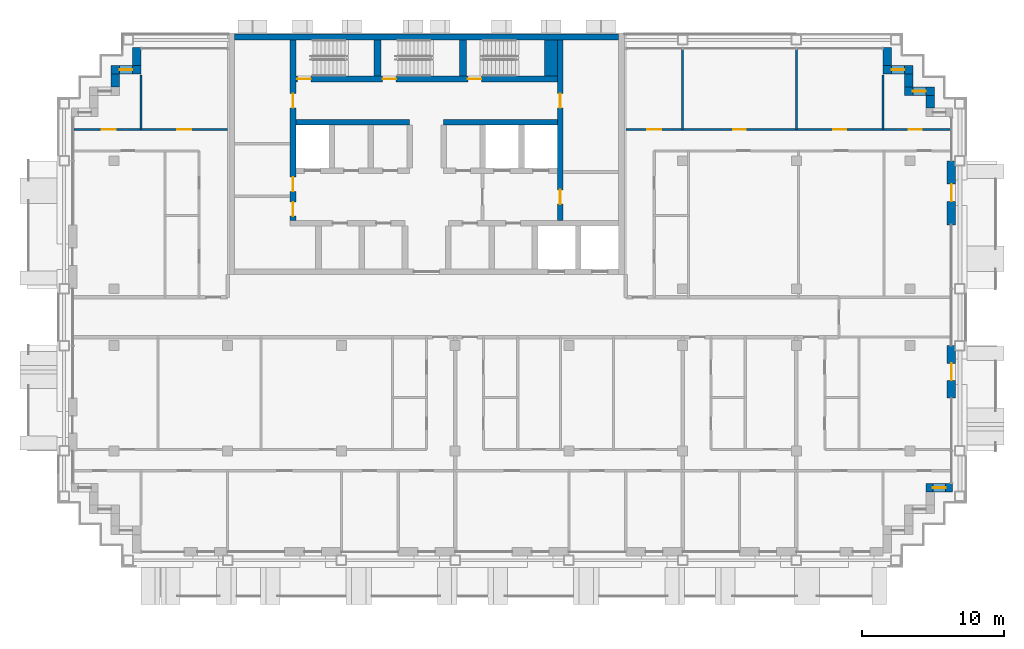
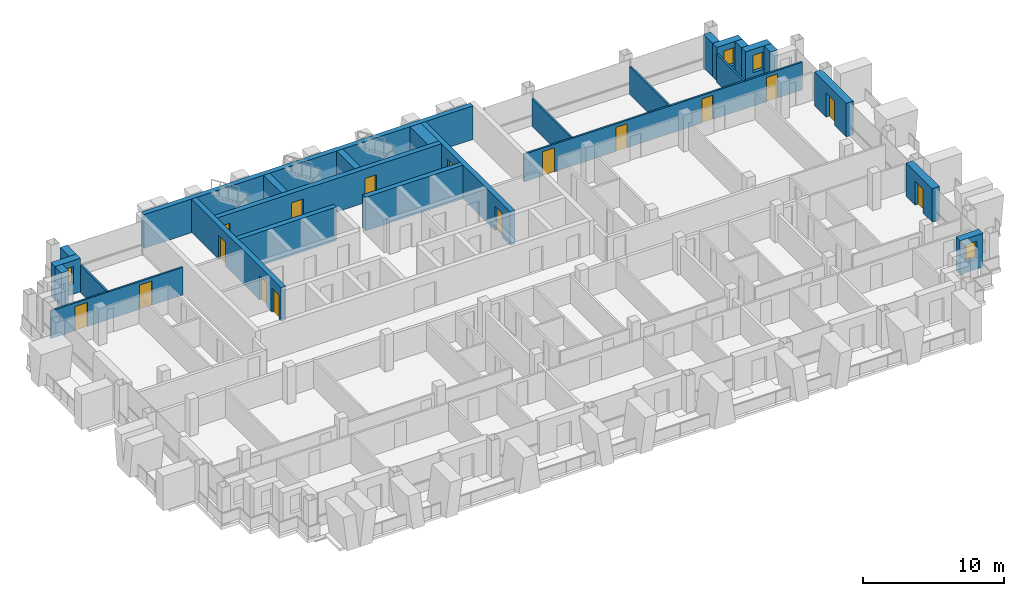
# One storey, part 11 of 16: 26 walls, 16 doors, 4 windows, 20 openings.
"""IFC4 building model written with IfcOpenShell, lengths in metres."""

from ifc_helpers import new_model, si_unit, direction, frame, frame_2d, origin, place, context, subcontext, project, spatial, rectangle, extrude, material, layer, layer_set, type_object, element, fill, save


model = new_model("IFC4")

# Units and contexts
model_context = context("Model", 3, precision=1e-05, world=origin(), true_north=direction((0.0, 1.0)))
body_context = subcontext(model_context, "Body", "Model", "MODEL_VIEW")
ifc_project = project(units=[si_unit("LENGTHUNIT", "METRE"), si_unit("AREAUNIT", "SQUARE_METRE"), si_unit("VOLUMEUNIT", "CUBIC_METRE"), si_unit("PLANEANGLEUNIT", "RADIAN"), si_unit("MASSUNIT", "GRAM", prefix="KILO")], contexts=[model_context])

# Site, building, storey
site_placement = place(None, origin())
site = spatial("IfcSite", under=ifc_project, at=site_placement, CompositionType="ELEMENT")
building_placement = place(site_placement, origin())
building = spatial("IfcBuilding", under=site, at=building_placement, Name="Vidyagriha Tower", CompositionType="ELEMENT")
storey_placement = place(building_placement, frame((0.0, 0.0, 178.10009765625)))
storey = spatial("IfcBuildingStorey", under=building, at=storey_placement, Name="L46", CompositionType="ELEMENT", Elevation=178.10009765625)

# Wall
ifc_material_1 = material(Name="Precast concrete C40/50 with brick facing", Category="concrete")
ifc_layer_1 = layer(ifc_material_1, 0.60009765625)
ifc_layer_set_1 = layer_set([ifc_layer_1], Name="Precast concrete C40/50 with brick facing")
wall_type_1 = type_object("IfcWallType", Name="Brick-faced precast wall 600", PredefinedType="STANDARD", material=ifc_layer_set_1)
wall_1_placement = place(storey_placement, frame((35.39990234375, 14.699951171875, 0.0), z_axis=(0.0, 0.0, 1.0), x_axis=(0.0, 1.0, 0.0)))
element("IfcWall", 1, at=wall_1_placement, inside=storey, type_object=wall_type_1, Name="Stepped corner wall L46 R02", PredefinedType="STANDARD", context=body_context, shape_type="SweptSolid", body=[
    extrude(rectangle(XDim=0.900146484375, YDim=0.60009765625, at=frame_2d((0.4501953125, 0.0))), origin(), (0.0, 0.0, 1.0), 2.919921875),
])

# Wall, opening, window
wall_2_placement = place(storey_placement, frame((35.699951171875, 15.89990234375, 0.0), z_axis=(0.0, 0.0, 1.0), x_axis=(-1.0, 0.0, 0.0)))
wall_2 = element("IfcWall", 2, at=wall_2_placement, inside=storey, type_object=wall_type_1, Name="Stepped corner wall L46 R03", PredefinedType="STANDARD", context=body_context, shape_type="SweptSolid", body=[
    extrude(rectangle(XDim=2.099853515625, YDim=0.60009765625, at=frame_2d((1.0498046875, 0.0))), origin(), (0.0, 0.0, 1.0), 2.919921875),
])
opening_1_placement = place(wall_2_placement, frame((0.60009765625, 0.0, 0.89990234375)))
opening_1 = element("IfcOpeningElement", 3, at=opening_1_placement, cuts=wall_2, Name="Opening WN1", PredefinedType="OPENING", context=body_context, shape_type="SweptSolid", body=[
    extrude(rectangle(XDim=0.89990234375, YDim=1.5, at=frame_2d((0.449951171875, 0.75))), frame((0.0, 0.31005859375, 0.0), z_axis=(0.0, -1.0, 0.0), x_axis=(1.0, 0.0, 0.0)), (0.0, 0.0, 1.0), 0.6201171875),
])
ifc_material_2 = material(Name="Aluminium and glass window", Category="aluminium")
window_type = type_object("IfcWindowType", Name="Reveal window 900x1500", PartitioningType="NOTDEFINED", PredefinedType="WINDOW", material=ifc_material_2)
window_1_placement = place(opening_1_placement, origin())
window_1 = element("IfcWindow", 4, at=window_1_placement, inside=storey, type_object=window_type, Name="Reveal window L46 R03", OverallHeight=1.5, OverallWidth=0.89990234375, PartitioningType="SINGLE_PANEL", PredefinedType="WINDOW", context=body_context, shape_type="SweptSolid", body=[
    extrude(rectangle(XDim=0.89990234375, YDim=1.5, at=frame_2d((0.449951171875, 0.75))), frame((0.0, 0.030029296875, 0.0), z_axis=(0.0, -1.0, 0.0), x_axis=(1.0, 0.0, 0.0)), (0.0, 0.0, 1.0), 0.06005859375),
])
fill(opening_1, window_1)

# Wall
wall_3_placement = place(storey_placement, frame((33.89990234375, 16.199951171875, 0.0), z_axis=(0.0, 0.0, 1.0), x_axis=(0.0, 1.0, 0.0)))
element("IfcWall", 5, at=wall_3_placement, inside=storey, type_object=wall_type_1, Name="Stepped corner wall L46 R04", PredefinedType="STANDARD", context=body_context, shape_type="SweptSolid", body=[
    extrude(rectangle(XDim=0.900146484375, YDim=0.60009765625, at=frame_2d((0.4501953125, 0.0))), origin(), (0.0, 0.0, 1.0), 2.919921875),
])

# Wall, opening, window
wall_4_placement = place(storey_placement, frame((34.199951171875, 17.39990234375, 0.0), z_axis=(0.0, 0.0, 1.0), x_axis=(-1.0, 0.0, 0.0)))
wall_4 = element("IfcWall", 6, at=wall_4_placement, inside=storey, type_object=wall_type_1, Name="Stepped corner wall L46 R05", PredefinedType="STANDARD", context=body_context, shape_type="SweptSolid", body=[
    extrude(rectangle(XDim=2.099853515625, YDim=0.60009765625, at=frame_2d((1.0498046875, 0.0))), origin(), (0.0, 0.0, 1.0), 2.919921875),
])
opening_2_placement = place(wall_4_placement, frame((0.60009765625, 0.0, 0.89990234375)))
opening_2 = element("IfcOpeningElement", 7, at=opening_2_placement, cuts=wall_4, Name="Opening WN1", PredefinedType="OPENING", context=body_context, shape_type="SweptSolid", body=[
    extrude(rectangle(XDim=0.89990234375, YDim=1.5, at=frame_2d((0.449951171875, 0.75))), frame((0.0, 0.31005859375, 0.0), z_axis=(0.0, -1.0, 0.0), x_axis=(1.0, 0.0, 0.0)), (0.0, 0.0, 1.0), 0.6201171875),
])
window_2_placement = place(opening_2_placement, origin())
window_2 = element("IfcWindow", 8, at=window_2_placement, inside=storey, type_object=window_type, Name="Reveal window L46 R05", OverallHeight=1.5, OverallWidth=0.89990234375, PartitioningType="SINGLE_PANEL", PredefinedType="WINDOW", context=body_context, shape_type="SweptSolid", body=[
    extrude(rectangle(XDim=0.89990234375, YDim=1.5, at=frame_2d((0.449951171875, 0.75))), frame((0.0, 0.030029296875, 0.0), z_axis=(0.0, -1.0, 0.0), x_axis=(1.0, 0.0, 0.0)), (0.0, 0.0, 1.0), 0.06005859375),
])
fill(opening_2, window_2)

# Walls
for number, where, z_axis, x_axis, name in (
    (9, (32.39990234375, 17.699951171875, 0.0), (0.0, 0.0, 1.0), (0.0, 1.0, 0.0), "Stepped corner wall L46 R06"),
    (10, (-20.39990234375, 18.97998046875, 0.0), (0.0, 0.0, 1.0), (0.0, -1.0, 0.0), "Stepped corner wall L46 R10"),
):
    element("IfcWall", number, at=place(storey_placement, frame(where, z_axis=z_axis, x_axis=x_axis)), inside=storey, type_object=wall_type_1, Name=name, PredefinedType="STANDARD", context=body_context, shape_type="SweptSolid", body=[
        extrude(rectangle(XDim=1.280029296875, YDim=0.60009765625, at=frame_2d((0.64013671875, 0.0))), origin(), (0.0, 0.0, 1.0), 2.919921875),
    ])

# Wall, opening, window
wall_5_placement = place(storey_placement, frame((-20.10009765625, 17.39990234375, 0.0), z_axis=(0.0, 0.0, 1.0), x_axis=(-1.0, 0.0, 0.0)))
wall_5 = element("IfcWall", 11, at=wall_5_placement, inside=storey, type_object=wall_type_1, Name="Stepped corner wall L46 R11", PredefinedType="STANDARD", context=body_context, shape_type="SweptSolid", body=[
    extrude(rectangle(XDim=2.099853515625, YDim=0.60009765625, at=frame_2d((1.0498046875, 0.0))), origin(), (0.0, 0.0, 1.0), 2.919921875),
])
opening_3_placement = place(wall_5_placement, frame((0.60009765625, 0.0, 0.89990234375)))
opening_3 = element("IfcOpeningElement", 12, at=opening_3_placement, cuts=wall_5, Name="Opening WN1", PredefinedType="OPENING", context=body_context, shape_type="SweptSolid", body=[
    extrude(rectangle(XDim=0.89990234375, YDim=1.5, at=frame_2d((0.449951171875, 0.75))), frame((0.0, 0.31005859375, 0.0), z_axis=(0.0, -1.0, 0.0), x_axis=(1.0, 0.0, 0.0)), (0.0, 0.0, 1.0), 0.6201171875),
])
window_3_placement = place(opening_3_placement, origin())
window_3 = element("IfcWindow", 13, at=window_3_placement, inside=storey, type_object=window_type, Name="Reveal window L46 R11", OverallHeight=1.5, OverallWidth=0.89990234375, PartitioningType="SINGLE_PANEL", PredefinedType="WINDOW", context=body_context, shape_type="SweptSolid", body=[
    extrude(rectangle(XDim=0.89990234375, YDim=1.5, at=frame_2d((0.449951171875, 0.75))), frame((0.0, 0.030029296875, 0.0), z_axis=(0.0, -1.0, 0.0), x_axis=(1.0, 0.0, 0.0)), (0.0, 0.0, 1.0), 0.06005859375),
])
fill(opening_3, window_3)

# Wall
wall_6_placement = place(storey_placement, frame((-21.89990234375, 17.10009765625, 0.0), z_axis=(0.0, 0.0, 1.0), x_axis=(0.0, -1.0, 0.0)))
element("IfcWall", 14, at=wall_6_placement, inside=storey, type_object=wall_type_1, Name="Stepped corner wall L46 R12", PredefinedType="STANDARD", context=body_context, shape_type="SweptSolid", body=[
    extrude(rectangle(XDim=0.900146484375, YDim=0.60009765625, at=frame_2d((0.4501953125, 0.0))), origin(), (0.0, 0.0, 1.0), 2.919921875),
])

# Wall, opening, window
wall_7_placement = place(storey_placement, frame((35.10009765625, -12.0, 0.0)))
wall_7 = element("IfcWall", 15, at=wall_7_placement, inside=storey, type_object=wall_type_1, Name="Stepped corner wall L46 R29", PredefinedType="STANDARD", context=body_context, shape_type="SweptSolid", body=[
    extrude(rectangle(XDim=1.8798828125, YDim=0.60009765625, at=frame_2d((0.93994140625, 0.0))), origin(), (0.0, 0.0, 1.0), 2.919921875),
])
opening_4_placement = place(wall_7_placement, frame((0.489990234375, 0.0, 0.89990234375)))
opening_4 = element("IfcOpeningElement", 16, at=opening_4_placement, cuts=wall_7, Name="Opening WN1", PredefinedType="OPENING", context=body_context, shape_type="SweptSolid", body=[
    extrude(rectangle(XDim=0.89990234375, YDim=1.5, at=frame_2d((0.449951171875, 0.75))), frame((0.0, 0.31005859375, 0.0), z_axis=(0.0, -1.0, 0.0), x_axis=(1.0, 0.0, 0.0)), (0.0, 0.0, 1.0), 0.6201171875),
])
window_4_placement = place(opening_4_placement, origin())
window_4 = element("IfcWindow", 17, at=window_4_placement, inside=storey, type_object=window_type, Name="Reveal window L46 R29", OverallHeight=1.5, OverallWidth=0.89990234375, PartitioningType="SINGLE_PANEL", PredefinedType="WINDOW", context=body_context, shape_type="SweptSolid", body=[
    extrude(rectangle(XDim=0.89990234375, YDim=1.5, at=frame_2d((0.449951171875, 0.75))), frame((0.0, 0.030029296875, 0.0), z_axis=(0.0, -1.0, 0.0), x_axis=(1.0, 0.0, 0.0)), (0.0, 0.0, 1.0), 0.06005859375),
])
fill(opening_4, window_4)

# Wall, opening, door
wall_8_placement = place(storey_placement, frame((36.89990234375, -5.699951171875, 0.0), z_axis=(0.0, 0.0, 1.0), x_axis=(0.0, 1.0, 0.0)))
wall_8 = element("IfcWall", 18, at=wall_8_placement, inside=storey, type_object=wall_type_1, Name="Brick door bay wall L46 R30.3", PredefinedType="STANDARD", context=body_context, shape_type="SweptSolid", body=[
    extrude(rectangle(XDim=3.699951171875, YDim=0.60009765625, at=frame_2d((1.85009765625, 0.0))), origin(), (0.0, 0.0, 1.0), 2.919921875),
])
opening_5_placement = place(wall_8_placement, frame((1.25, 0.0, 0.0)))
opening_5 = element("IfcOpeningElement", 19, at=opening_5_placement, cuts=wall_8, Name="Opening D46-76", PredefinedType="OPENING", context=body_context, shape_type="SweptSolid", body=[
    extrude(rectangle(XDim=1.199951171875, YDim=2.10009765625, at=frame_2d((0.60009765625, 1.050048828125))), frame((0.0, 0.31005859375, 0.0), z_axis=(0.0, -1.0, 0.0), x_axis=(1.0, 0.0, 0.0)), (0.0, 0.0, 1.0), 0.6201171875),
])
ifc_material_3 = material(Name="Aluminium framed glazed sliding door", Category="aluminium")
door_type_1 = type_object("IfcDoorType", Name="Balcony sliding door 1200x2100", OperationType="NOTDEFINED", PredefinedType="DOOR", material=ifc_material_3)
door_1_placement = place(opening_5_placement, origin())
door_1 = element("IfcDoor", 20, at=door_1_placement, inside=storey, type_object=door_type_1, Name="Door D46-76", OperationType="SLIDING_TO_LEFT", OverallHeight=2.10009765625, OverallWidth=1.199951171875, PredefinedType="DOOR", context=body_context, shape_type="SweptSolid", body=[
    extrude(rectangle(XDim=1.199951171875, YDim=2.10009765625, at=frame_2d((0.60009765625, 1.050048828125))), frame((0.0, 0.02490234375, 0.0), z_axis=(0.0, -1.0, 0.0), x_axis=(1.0, 0.0, 0.0)), (0.0, 0.0, 1.0), 0.050048828125),
])
fill(opening_5, door_1)

wall_9_placement = place(storey_placement, frame((36.89990234375, 6.5, 0.0), z_axis=(0.0, 0.0, 1.0), x_axis=(0.0, 1.0, 0.0)))
wall_9 = element("IfcWall", 21, at=wall_9_placement, inside=storey, type_object=wall_type_1, Name="Brick door bay wall L46 R30.6", PredefinedType="STANDARD", context=body_context, shape_type="SweptSolid", body=[
    extrude(rectangle(XDim=4.5, YDim=0.60009765625, at=frame_2d((2.25, 0.0))), origin(), (0.0, 0.0, 1.0), 2.919921875),
])
opening_6_placement = place(wall_9_placement, frame((1.64990234375, 0.0, 0.0)))
opening_6 = element("IfcOpeningElement", 22, at=opening_6_placement, cuts=wall_9, Name="Opening D46-77", PredefinedType="OPENING", context=body_context, shape_type="SweptSolid", body=[
    extrude(rectangle(XDim=1.199951171875, YDim=2.10009765625, at=frame_2d((0.60009765625, 1.050048828125))), frame((0.0, 0.31005859375, 0.0), z_axis=(0.0, -1.0, 0.0), x_axis=(1.0, 0.0, 0.0)), (0.0, 0.0, 1.0), 0.6201171875),
])
door_2_placement = place(opening_6_placement, origin())
door_2 = element("IfcDoor", 23, at=door_2_placement, inside=storey, type_object=door_type_1, Name="Door D46-77", OperationType="SLIDING_TO_LEFT", OverallHeight=2.10009765625, OverallWidth=1.199951171875, PredefinedType="DOOR", context=body_context, shape_type="SweptSolid", body=[
    extrude(rectangle(XDim=1.199951171875, YDim=2.10009765625, at=frame_2d((0.60009765625, 1.050048828125))), frame((0.0, 0.02490234375, 0.0), z_axis=(0.0, -1.0, 0.0), x_axis=(1.0, 0.0, 0.0)), (0.0, 0.0, 1.0), 0.050048828125),
])
fill(opening_6, door_2)

# Wall
ifc_material_4 = material(Name="Concrete C60/75", Category="concrete")
ifc_layer_2 = layer(ifc_material_4, 0.39990234375)
ifc_layer_set_2 = layer_set([ifc_layer_2], Name="Concrete C60/75")
wall_type_2 = type_object("IfcWallType", Name="Core shear wall 400 mm", PredefinedType="SHEAR", material=ifc_layer_set_2)
wall_10_placement = place(storey_placement, frame((-13.5, 19.699951171875, 0.0)))
element("IfcWall", 24, at=wall_10_placement, inside=storey, type_object=wall_type_2, Name="Core north wall", PredefinedType="SHEAR", context=body_context, shape_type="SweptSolid", body=[
    extrude(rectangle(XDim=27.0, YDim=0.39990234375, at=frame_2d((13.5, 0.0))), origin(), (0.0, 0.0, 1.0), 2.919921875),
])

# Wall, openings, doors
wall_11_placement = place(storey_placement, frame((-9.39990234375, 6.800048828125, 0.0), z_axis=(0.0, 0.0, 1.0), x_axis=(0.0, 1.0, 0.0)))
wall_11 = element("IfcWall", 25, at=wall_11_placement, inside=storey, type_object=wall_type_2, Name="Core west spine wall", PredefinedType="SHEAR", context=body_context, shape_type="SweptSolid", body=[
    extrude(rectangle(XDim=12.699951171875, YDim=0.39990234375, at=frame_2d((6.35009765625, 0.0))), origin(), (0.0, 0.0, 1.0), 2.919921875),
])
opening_7_placement = place(wall_11_placement, frame((0.300048828125, 0.0, 0.0)))
opening_7 = element("IfcOpeningElement", 26, at=opening_7_placement, cuts=wall_11, Name="Opening D46-13", PredefinedType="OPENING", context=body_context, shape_type="SweptSolid", body=[
    extrude(rectangle(XDim=1.0, YDim=2.10009765625, at=frame_2d((0.5, 1.050048828125))), frame((0.0, 0.2099609375, 0.0), z_axis=(0.0, -1.0, 0.0), x_axis=(1.0, 0.0, 0.0)), (0.0, 0.0, 1.0), 0.419921875),
])
opening_8_placement = place(wall_11_placement, frame((2.050048828125, 0.0, 0.0)))
opening_8 = element("IfcOpeningElement", 27, at=opening_8_placement, cuts=wall_11, Name="Opening D46-14", PredefinedType="OPENING", context=body_context, shape_type="SweptSolid", body=[
    extrude(rectangle(XDim=1.0, YDim=2.10009765625, at=frame_2d((0.5, 1.050048828125))), frame((0.0, 0.2099609375, 0.0), z_axis=(0.0, -1.0, 0.0), x_axis=(1.0, 0.0, 0.0)), (0.0, 0.0, 1.0), 0.419921875),
])
opening_9_placement = place(wall_11_placement, frame((7.925048828125, 0.0, 0.0)))
opening_9 = element("IfcOpeningElement", 28, at=opening_9_placement, cuts=wall_11, Name="Opening D46-15", PredefinedType="OPENING", context=body_context, shape_type="SweptSolid", body=[
    extrude(rectangle(XDim=1.0, YDim=2.10009765625, at=frame_2d((0.5, 1.050048828125))), frame((0.0, 0.2099609375, 0.0), z_axis=(0.0, -1.0, 0.0), x_axis=(1.0, 0.0, 0.0)), (0.0, 0.0, 1.0), 0.419921875),
])
ifc_material_5 = material(Name="Hollow metal door leaf")
door_type_2 = type_object("IfcDoorType", Name="Core room door 1000 x 2100 mm EI 60", OperationType="NOTDEFINED", PredefinedType="DOOR", material=ifc_material_5)
door_3_placement = place(opening_7_placement, frame((1.0, 0.0, 0.0), z_axis=(0.0, 0.0, 1.0), x_axis=(-1.0, 0.0, 0.0)))
door_3 = element("IfcDoor", 29, at=door_3_placement, inside=storey, type_object=door_type_2, Name="Door Refuse Room 46.W1", OperationType="SINGLE_SWING_RIGHT", OverallHeight=2.10009765625, OverallWidth=1.0, PredefinedType="DOOR", context=body_context, shape_type="SweptSolid", body=[
    extrude(rectangle(XDim=1.0, YDim=2.10009765625, at=frame_2d((0.5, 1.050048828125))), frame((0.0, 0.02490234375, 0.0), z_axis=(0.0, -1.0, 0.0), x_axis=(1.0, 0.0, 0.0)), (0.0, 0.0, 1.0), 0.050048828125),
])
fill(opening_7, door_3)
door_4_placement = place(opening_8_placement, frame((1.0, 0.0, 0.0), z_axis=(0.0, 0.0, 1.0), x_axis=(-1.0, 0.0, 0.0)))
door_4 = element("IfcDoor", 30, at=door_4_placement, inside=storey, type_object=door_type_2, Name="Door Mechanical Riser Room 46.W2", OperationType="SINGLE_SWING_LEFT", OverallHeight=2.10009765625, OverallWidth=1.0, PredefinedType="DOOR", context=body_context, shape_type="SweptSolid", body=[
    extrude(rectangle(XDim=1.0, YDim=2.10009765625, at=frame_2d((0.5, 1.050048828125))), frame((0.0, 0.02490234375, 0.0), z_axis=(0.0, -1.0, 0.0), x_axis=(1.0, 0.0, 0.0)), (0.0, 0.0, 1.0), 0.050048828125),
])
fill(opening_8, door_4)
door_5_placement = place(opening_9_placement, frame((1.0, 0.0, 0.0), z_axis=(0.0, 0.0, 1.0), x_axis=(-1.0, 0.0, 0.0)))
door_5 = element("IfcDoor", 31, at=door_5_placement, inside=storey, type_object=door_type_2, Name="Door Electrical Room 46.W3", OperationType="SINGLE_SWING_LEFT", OverallHeight=2.10009765625, OverallWidth=1.0, PredefinedType="DOOR", context=body_context, shape_type="SweptSolid", body=[
    extrude(rectangle(XDim=1.0, YDim=2.10009765625, at=frame_2d((0.5, 1.050048828125))), frame((0.0, 0.02490234375, 0.0), z_axis=(0.0, -1.0, 0.0), x_axis=(1.0, 0.0, 0.0)), (0.0, 0.0, 1.0), 0.050048828125),
])
fill(opening_9, door_5)

wall_12_placement = place(storey_placement, frame((9.39990234375, 6.800048828125, 0.0), z_axis=(0.0, 0.0, 1.0), x_axis=(0.0, 1.0, 0.0)))
wall_12 = element("IfcWall", 32, at=wall_12_placement, inside=storey, type_object=wall_type_2, Name="Core east spine wall", PredefinedType="SHEAR", context=body_context, shape_type="SweptSolid", body=[
    extrude(rectangle(XDim=12.699951171875, YDim=0.39990234375, at=frame_2d((6.35009765625, 0.0))), origin(), (0.0, 0.0, 1.0), 2.919921875),
])
opening_10_placement = place(wall_12_placement, frame((1.14990234375, 0.0, 0.0)))
opening_10 = element("IfcOpeningElement", 33, at=opening_10_placement, cuts=wall_12, Name="Opening D46-16", PredefinedType="OPENING", context=body_context, shape_type="SweptSolid", body=[
    extrude(rectangle(XDim=1.0, YDim=2.10009765625, at=frame_2d((0.5, 1.050048828125))), frame((0.0, 0.2099609375, 0.0), z_axis=(0.0, -1.0, 0.0), x_axis=(1.0, 0.0, 0.0)), (0.0, 0.0, 1.0), 0.419921875),
])
opening_11_placement = place(wall_12_placement, frame((7.925048828125, 0.0, 0.0)))
opening_11 = element("IfcOpeningElement", 34, at=opening_11_placement, cuts=wall_12, Name="Opening D46-17", PredefinedType="OPENING", context=body_context, shape_type="SweptSolid", body=[
    extrude(rectangle(XDim=1.0, YDim=2.10009765625, at=frame_2d((0.5, 1.050048828125))), frame((0.0, 0.2099609375, 0.0), z_axis=(0.0, -1.0, 0.0), x_axis=(1.0, 0.0, 0.0)), (0.0, 0.0, 1.0), 0.419921875),
])
door_6_placement = place(opening_10_placement, origin())
door_6 = element("IfcDoor", 35, at=door_6_placement, inside=storey, type_object=door_type_2, Name="Door Pressurisation Plant Room 46.E1", OperationType="SINGLE_SWING_RIGHT", OverallHeight=2.10009765625, OverallWidth=1.0, PredefinedType="DOOR", context=body_context, shape_type="SweptSolid", body=[
    extrude(rectangle(XDim=1.0, YDim=2.10009765625, at=frame_2d((0.5, 1.050048828125))), frame((0.0, 0.02490234375, 0.0), z_axis=(0.0, -1.0, 0.0), x_axis=(1.0, 0.0, 0.0)), (0.0, 0.0, 1.0), 0.050048828125),
])
fill(opening_10, door_6)
door_7_placement = place(opening_11_placement, origin())
door_7 = element("IfcDoor", 36, at=door_7_placement, inside=storey, type_object=door_type_2, Name="Door Storage Room 46.E2", OperationType="SINGLE_SWING_LEFT", OverallHeight=2.10009765625, OverallWidth=1.0, PredefinedType="DOOR", context=body_context, shape_type="SweptSolid", body=[
    extrude(rectangle(XDim=1.0, YDim=2.10009765625, at=frame_2d((0.5, 1.050048828125))), frame((0.0, 0.02490234375, 0.0), z_axis=(0.0, -1.0, 0.0), x_axis=(1.0, 0.0, 0.0)), (0.0, 0.0, 1.0), 0.050048828125),
])
fill(opening_11, door_7)

# Walls
for number, where, name in (
    (37, (-9.199951171875, 13.699951171875, 0.0), "Core row N rear wall"),
    (38, (1.199951171875, 13.699951171875, 0.0), "Core row N rear wall"),
):
    element("IfcWall", number, at=place(storey_placement, frame(where)), inside=storey, type_object=wall_type_2, Name=name, PredefinedType="SHEAR", context=body_context, shape_type="SweptSolid", body=[
        extrude(rectangle(XDim=8.0, YDim=0.39990234375, at=frame_2d((4.0, 0.0))), origin(), (0.0, 0.0, 1.0), 2.919921875),
    ])

# Wall, openings, doors
wall_13_placement = place(storey_placement, frame((-9.199951171875, 16.75, 0.0)))
wall_13 = element("IfcWall", 39, at=wall_13_placement, inside=storey, type_object=wall_type_2, Name="Stair front wall", PredefinedType="SHEAR", context=body_context, shape_type="SweptSolid", body=[
    extrude(rectangle(XDim=18.39990234375, YDim=0.39990234375, at=frame_2d((9.199951171875, 0.0))), origin(), (0.0, 0.0, 1.0), 2.919921875),
])
opening_12_placement = place(wall_13_placement, frame((0.10009765625, 0.0, 0.0)))
opening_12 = element("IfcOpeningElement", 40, at=opening_12_placement, cuts=wall_13, Name="Opening D46-10", PredefinedType="OPENING", context=body_context, shape_type="SweptSolid", body=[
    extrude(rectangle(XDim=0.949951171875, YDim=2.10009765625, at=frame_2d((0.47509765625, 1.050048828125))), frame((0.0, 0.2099609375, 0.0), z_axis=(0.0, -1.0, 0.0), x_axis=(1.0, 0.0, 0.0)), (0.0, 0.0, 1.0), 0.419921875),
])
opening_13_placement = place(wall_13_placement, frame((6.10009765625, 0.0, 0.0)))
opening_13 = element("IfcOpeningElement", 41, at=opening_13_placement, cuts=wall_13, Name="Opening D46-11", PredefinedType="OPENING", context=body_context, shape_type="SweptSolid", body=[
    extrude(rectangle(XDim=0.949951171875, YDim=2.10009765625, at=frame_2d((0.47509765625, 1.050048828125))), frame((0.0, 0.2099609375, 0.0), z_axis=(0.0, -1.0, 0.0), x_axis=(1.0, 0.0, 0.0)), (0.0, 0.0, 1.0), 0.419921875),
])
opening_14_placement = place(wall_13_placement, frame((12.10009765625, 0.0, 0.0)))
opening_14 = element("IfcOpeningElement", 42, at=opening_14_placement, cuts=wall_13, Name="Opening D46-12", PredefinedType="OPENING", context=body_context, shape_type="SweptSolid", body=[
    extrude(rectangle(XDim=0.949951171875, YDim=2.10009765625, at=frame_2d((0.47509765625, 1.050048828125))), frame((0.0, 0.2099609375, 0.0), z_axis=(0.0, -1.0, 0.0), x_axis=(1.0, 0.0, 0.0)), (0.0, 0.0, 1.0), 0.419921875),
])
ifc_material_6 = material(Name="Hollow metal door leaf")
door_type_3 = type_object("IfcDoorType", Name="Exit stair door 950 x 2100 mm EI 90", OperationType="NOTDEFINED", PredefinedType="DOOR", material=ifc_material_6)
door_8_placement = place(opening_12_placement, origin())
door_8 = element("IfcDoor", 43, at=door_8_placement, inside=storey, type_object=door_type_3, Name="Stair door ST1 L46", OperationType="SINGLE_SWING_LEFT", OverallHeight=2.10009765625, OverallWidth=0.949951171875, PredefinedType="DOOR", context=body_context, shape_type="SweptSolid", body=[
    extrude(rectangle(XDim=0.949951171875, YDim=2.10009765625, at=frame_2d((0.47509765625, 1.050048828125))), frame((0.0, 0.02490234375, 0.0), z_axis=(0.0, -1.0, 0.0), x_axis=(1.0, 0.0, 0.0)), (0.0, 0.0, 1.0), 0.050048828125),
])
fill(opening_12, door_8)
door_9_placement = place(opening_13_placement, origin())
door_9 = element("IfcDoor", 44, at=door_9_placement, inside=storey, type_object=door_type_3, Name="Stair door ST2 L46", OperationType="SINGLE_SWING_LEFT", OverallHeight=2.10009765625, OverallWidth=0.949951171875, PredefinedType="DOOR", context=body_context, shape_type="SweptSolid", body=[
    extrude(rectangle(XDim=0.949951171875, YDim=2.10009765625, at=frame_2d((0.47509765625, 1.050048828125))), frame((0.0, 0.02490234375, 0.0), z_axis=(0.0, -1.0, 0.0), x_axis=(1.0, 0.0, 0.0)), (0.0, 0.0, 1.0), 0.050048828125),
])
fill(opening_13, door_9)
door_10_placement = place(opening_14_placement, origin())
door_10 = element("IfcDoor", 45, at=door_10_placement, inside=storey, type_object=door_type_3, Name="Stair door ST3 L46", OperationType="SINGLE_SWING_LEFT", OverallHeight=2.10009765625, OverallWidth=0.949951171875, PredefinedType="DOOR", context=body_context, shape_type="SweptSolid", body=[
    extrude(rectangle(XDim=0.949951171875, YDim=2.10009765625, at=frame_2d((0.47509765625, 1.050048828125))), frame((0.0, 0.02490234375, 0.0), z_axis=(0.0, -1.0, 0.0), x_axis=(1.0, 0.0, 0.0)), (0.0, 0.0, 1.0), 0.050048828125),
])
fill(opening_14, door_10)

# Walls
ifc_material_7 = material(Name="Concrete C60/75", Category="concrete")
ifc_layer_3 = layer(ifc_material_7, 0.5)
ifc_layer_set_3 = layer_set([ifc_layer_3], Name="Concrete C60/75")
wall_type_3 = type_object("IfcWallType", Name="Core shear wall 500 mm", PredefinedType="SHEAR", material=ifc_layer_set_3)
for number, where, z_axis, x_axis, name in (
    (46, (-3.449951171875, 16.949951171875, 0.0), (0.0, 0.0, 1.0), (0.0, 1.0, 0.0), "Stair partition wall 1"),
    (47, (2.550048828125, 16.949951171875, 0.0), (0.0, 0.0, 1.0), (0.0, 1.0, 0.0), "Stair partition wall 2"),
):
    element("IfcWall", number, at=place(storey_placement, frame(where, z_axis=z_axis, x_axis=x_axis)), inside=storey, type_object=wall_type_3, Name=name, PredefinedType="SHEAR", context=body_context, shape_type="SweptSolid", body=[
        extrude(rectangle(XDim=2.550048828125, YDim=0.5, at=frame_2d((1.27490234375, 0.0))), origin(), (0.0, 0.0, 1.0), 2.919921875),
    ])
ifc_material_8 = material(Name="Concrete C60/75", Category="concrete")
ifc_layer_4 = layer(ifc_material_8, 0.89990234375)
ifc_layer_set_4 = layer_set([ifc_layer_4], Name="Concrete C60/75")
wall_type_4 = type_object("IfcWallType", Name="Core shear wall 900 mm", PredefinedType="SHEAR", material=ifc_layer_set_4)
wall_14_placement = place(storey_placement, frame((8.75, 16.949951171875, 0.0), z_axis=(0.0, 0.0, 1.0), x_axis=(0.0, 1.0, 0.0)))
element("IfcWall", 48, at=wall_14_placement, inside=storey, type_object=wall_type_4, Name="Stair end wall", PredefinedType="SHEAR", context=body_context, shape_type="SweptSolid", body=[
    extrude(rectangle(XDim=2.550048828125, YDim=0.89990234375, at=frame_2d((1.27490234375, 0.0))), origin(), (0.0, 0.0, 1.0), 2.919921875),
])

# Wall, openings, doors
ifc_material_9 = material(Name="Gypsum board partition")
ifc_layer_5 = layer(ifc_material_9, 0.14990234375)
ifc_layer_set_5 = layer_set([ifc_layer_5], Name="Gypsum board partition")
wall_type_5 = type_object("IfcWallType", Name="Gypsum board partition 150", PredefinedType="PARTITIONING", material=ifc_layer_set_5)
wall_15_placement = place(storey_placement, frame((-24.820068359375, 13.199951171875, 0.0)))
wall_15 = element("IfcWall", 49, at=wall_15_placement, inside=storey, type_object=wall_type_5, Name="Wall all-L46-w078", PredefinedType="PARTITIONING", context=body_context, shape_type="SweptSolid", body=[
    extrude(rectangle(XDim=10.820068359375, YDim=0.14990234375, at=frame_2d((5.41015625, 0.0))), origin(), (0.0, 0.0, 1.0), 2.39990234375),
])
opening_15_placement = place(wall_15_placement, frame((1.969970703125, 0.0, 0.0)))
opening_15 = element("IfcOpeningElement", 50, at=opening_15_placement, cuts=wall_15, Name="Opening D46-53", PredefinedType="OPENING", context=body_context, shape_type="SweptSolid", body=[
    extrude(rectangle(XDim=1.0, YDim=2.10009765625, at=frame_2d((0.5, 1.050048828125))), frame((0.0, 0.0849609375, 0.0), z_axis=(0.0, -1.0, 0.0), x_axis=(1.0, 0.0, 0.0)), (0.0, 0.0, 1.0), 0.169921875),
])
opening_16_placement = place(wall_15_placement, frame((7.27001953125, 0.0, 0.0)))
opening_16 = element("IfcOpeningElement", 51, at=opening_16_placement, cuts=wall_15, Name="Opening D46-54", PredefinedType="OPENING", context=body_context, shape_type="SweptSolid", body=[
    extrude(rectangle(XDim=1.0, YDim=2.10009765625, at=frame_2d((0.5, 1.050048828125))), frame((0.0, 0.0849609375, 0.0), z_axis=(0.0, -1.0, 0.0), x_axis=(1.0, 0.0, 0.0)), (0.0, 0.0, 1.0), 0.169921875),
])
ifc_material_10 = material(Name="Timber door leaf", Category="wood")
door_type_4 = type_object("IfcDoorType", Name="Room door 1000x2100", OperationType="NOTDEFINED", PredefinedType="DOOR", material=ifc_material_10)
door_11_placement = place(opening_15_placement, origin())
door_11 = element("IfcDoor", 52, at=door_11_placement, inside=storey, type_object=door_type_4, Name="Door D46-53", OperationType="SINGLE_SWING_RIGHT", OverallHeight=2.10009765625, OverallWidth=1.0, PredefinedType="DOOR", context=body_context, shape_type="SweptSolid", body=[
    extrude(rectangle(XDim=1.0, YDim=2.10009765625, at=frame_2d((0.5, 1.050048828125))), frame((0.0, 0.02490234375, 0.0), z_axis=(0.0, -1.0, 0.0), x_axis=(1.0, 0.0, 0.0)), (0.0, 0.0, 1.0), 0.050048828125),
])
fill(opening_15, door_11)
door_12_placement = place(opening_16_placement, origin())
door_12 = element("IfcDoor", 53, at=door_12_placement, inside=storey, type_object=door_type_4, Name="Door D46-54", OperationType="SINGLE_SWING_RIGHT", OverallHeight=2.10009765625, OverallWidth=1.0, PredefinedType="DOOR", context=body_context, shape_type="SweptSolid", body=[
    extrude(rectangle(XDim=1.0, YDim=2.10009765625, at=frame_2d((0.5, 1.050048828125))), frame((0.0, 0.02490234375, 0.0), z_axis=(0.0, -1.0, 0.0), x_axis=(1.0, 0.0, 0.0)), (0.0, 0.0, 1.0), 0.050048828125),
])
fill(opening_16, door_12)

# Wall
wall_16_placement = place(storey_placement, frame((-20.10009765625, 17.02001953125, 0.0), z_axis=(0.0, 0.0, 1.0), x_axis=(0.0, -1.0, 0.0)))
element("IfcWall", 54, at=wall_16_placement, inside=storey, type_object=wall_type_5, Name="Wall all-L46-w081", PredefinedType="PARTITIONING", context=body_context, shape_type="SweptSolid", body=[
    extrude(rectangle(XDim=3.820068359375, YDim=0.14990234375, at=frame_2d((1.91015625, 0.0))), origin(), (0.0, 0.0, 1.0), 2.39990234375),
])

# Wall, openings, doors
wall_17_placement = place(storey_placement, frame((14.0, 13.199951171875, 0.0)))
wall_17 = element("IfcWall", 55, at=wall_17_placement, inside=storey, type_object=wall_type_5, Name="Wall all-L46-w095", PredefinedType="PARTITIONING", context=body_context, shape_type="SweptSolid", body=[
    extrude(rectangle(XDim=22.820068359375, YDim=0.14990234375, at=frame_2d((11.41015625, 0.0))), origin(), (0.0, 0.0, 1.0), 2.39990234375),
])
opening_17_placement = place(wall_17_placement, frame((1.5, 0.0, 0.0)))
opening_17 = element("IfcOpeningElement", 56, at=opening_17_placement, cuts=wall_17, Name="Opening D46-61", PredefinedType="OPENING", context=body_context, shape_type="SweptSolid", body=[
    extrude(rectangle(XDim=1.0, YDim=2.10009765625, at=frame_2d((0.5, 1.050048828125))), frame((0.0, 0.0849609375, 0.0), z_axis=(0.0, -1.0, 0.0), x_axis=(1.0, 0.0, 0.0)), (0.0, 0.0, 1.0), 0.169921875),
])
opening_18_placement = place(wall_17_placement, frame((7.550048828125, 0.0, 0.0)))
opening_18 = element("IfcOpeningElement", 57, at=opening_18_placement, cuts=wall_17, Name="Opening D46-62", PredefinedType="OPENING", context=body_context, shape_type="SweptSolid", body=[
    extrude(rectangle(XDim=0.89990234375, YDim=2.10009765625, at=frame_2d((0.449951171875, 1.050048828125))), frame((0.0, 0.0849609375, 0.0), z_axis=(0.0, -1.0, 0.0), x_axis=(1.0, 0.0, 0.0)), (0.0, 0.0, 1.0), 0.169921875),
])
opening_19_placement = place(wall_17_placement, frame((14.60009765625, 0.0, 0.0)))
opening_19 = element("IfcOpeningElement", 58, at=opening_19_placement, cuts=wall_17, Name="Opening D46-63", PredefinedType="OPENING", context=body_context, shape_type="SweptSolid", body=[
    extrude(rectangle(XDim=0.89990234375, YDim=2.10009765625, at=frame_2d((0.449951171875, 1.050048828125))), frame((0.0, 0.0849609375, 0.0), z_axis=(0.0, -1.0, 0.0), x_axis=(1.0, 0.0, 0.0)), (0.0, 0.0, 1.0), 0.169921875),
])
opening_20_placement = place(wall_17_placement, frame((19.89990234375, 0.0, 0.0)))
opening_20 = element("IfcOpeningElement", 59, at=opening_20_placement, cuts=wall_17, Name="Opening D46-64", PredefinedType="OPENING", context=body_context, shape_type="SweptSolid", body=[
    extrude(rectangle(XDim=0.89990234375, YDim=2.10009765625, at=frame_2d((0.449951171875, 1.050048828125))), frame((0.0, 0.0849609375, 0.0), z_axis=(0.0, -1.0, 0.0), x_axis=(1.0, 0.0, 0.0)), (0.0, 0.0, 1.0), 0.169921875),
])
door_13_placement = place(opening_17_placement, origin())
door_13 = element("IfcDoor", 60, at=door_13_placement, inside=storey, type_object=door_type_4, Name="Door D46-61", OperationType="SINGLE_SWING_RIGHT", OverallHeight=2.10009765625, OverallWidth=1.0, PredefinedType="DOOR", context=body_context, shape_type="SweptSolid", body=[
    extrude(rectangle(XDim=1.0, YDim=2.10009765625, at=frame_2d((0.5, 1.050048828125))), frame((0.0, 0.02490234375, 0.0), z_axis=(0.0, -1.0, 0.0), x_axis=(1.0, 0.0, 0.0)), (0.0, 0.0, 1.0), 0.050048828125),
])
fill(opening_17, door_13)
ifc_material_11 = material(Name="Timber door leaf", Category="wood")
door_type_5 = type_object("IfcDoorType", Name="Room door 900x2100", OperationType="NOTDEFINED", PredefinedType="DOOR", material=ifc_material_11)
door_14_placement = place(opening_18_placement, origin())
door_14 = element("IfcDoor", 61, at=door_14_placement, inside=storey, type_object=door_type_5, Name="Door D46-62", OperationType="SINGLE_SWING_RIGHT", OverallHeight=2.10009765625, OverallWidth=0.89990234375, PredefinedType="DOOR", context=body_context, shape_type="SweptSolid", body=[
    extrude(rectangle(XDim=0.89990234375, YDim=2.10009765625, at=frame_2d((0.449951171875, 1.050048828125))), frame((0.0, 0.02490234375, 0.0), z_axis=(0.0, -1.0, 0.0), x_axis=(1.0, 0.0, 0.0)), (0.0, 0.0, 1.0), 0.050048828125),
])
fill(opening_18, door_14)
door_15_placement = place(opening_19_placement, origin())
door_15 = element("IfcDoor", 62, at=door_15_placement, inside=storey, type_object=door_type_5, Name="Door D46-63", OperationType="SINGLE_SWING_RIGHT", OverallHeight=2.10009765625, OverallWidth=0.89990234375, PredefinedType="DOOR", context=body_context, shape_type="SweptSolid", body=[
    extrude(rectangle(XDim=0.89990234375, YDim=2.10009765625, at=frame_2d((0.449951171875, 1.050048828125))), frame((0.0, 0.02490234375, 0.0), z_axis=(0.0, -1.0, 0.0), x_axis=(1.0, 0.0, 0.0)), (0.0, 0.0, 1.0), 0.050048828125),
])
fill(opening_19, door_15)
door_16_placement = place(opening_20_placement, origin())
door_16 = element("IfcDoor", 63, at=door_16_placement, inside=storey, type_object=door_type_5, Name="Door D46-64", OperationType="SINGLE_SWING_RIGHT", OverallHeight=2.10009765625, OverallWidth=0.89990234375, PredefinedType="DOOR", context=body_context, shape_type="SweptSolid", body=[
    extrude(rectangle(XDim=0.89990234375, YDim=2.10009765625, at=frame_2d((0.449951171875, 1.050048828125))), frame((0.0, 0.02490234375, 0.0), z_axis=(0.0, -1.0, 0.0), x_axis=(1.0, 0.0, 0.0)), (0.0, 0.0, 1.0), 0.050048828125),
])
fill(opening_20, door_16)

# Walls
for number, where, z_axis, x_axis, name in (
    (64, (18.0, 18.821044921875, 0.0), (0.0, 0.0, 1.0), (0.0, -1.0, 0.0), "Wall all-L46-w100"),
    (65, (26.0, 18.821044921875, 0.0), (0.0, 0.0, 1.0), (0.0, -1.0, 0.0), "Wall all-L46-w101"),
):
    element("IfcWall", number, at=place(storey_placement, frame(where, z_axis=z_axis, x_axis=x_axis)), inside=storey, type_object=wall_type_5, Name=name, PredefinedType="PARTITIONING", context=body_context, shape_type="SweptSolid", body=[
        extrude(rectangle(XDim=5.62109375, YDim=0.14990234375, at=frame_2d((2.810546875, 0.0))), origin(), (0.0, 0.0, 1.0), 2.39990234375),
    ])
wall_18_placement = place(storey_placement, frame((32.10009765625, 17.02001953125, 0.0), z_axis=(0.0, 0.0, 1.0), x_axis=(0.0, -1.0, 0.0)))
element("IfcWall", 66, at=wall_18_placement, inside=storey, type_object=wall_type_5, Name="Wall all-L46-w102", PredefinedType="PARTITIONING", context=body_context, shape_type="SweptSolid", body=[
    extrude(rectangle(XDim=3.820068359375, YDim=0.14990234375, at=frame_2d((1.91015625, 0.0))), origin(), (0.0, 0.0, 1.0), 2.39990234375),
])

save(model, "model.ifc")
